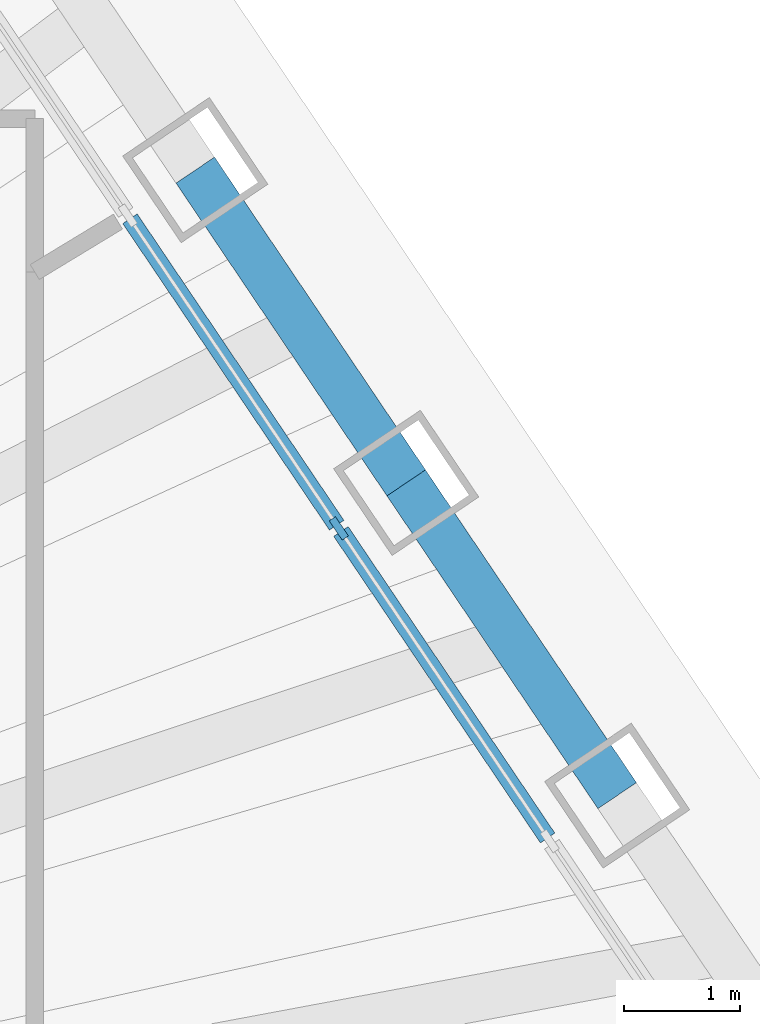
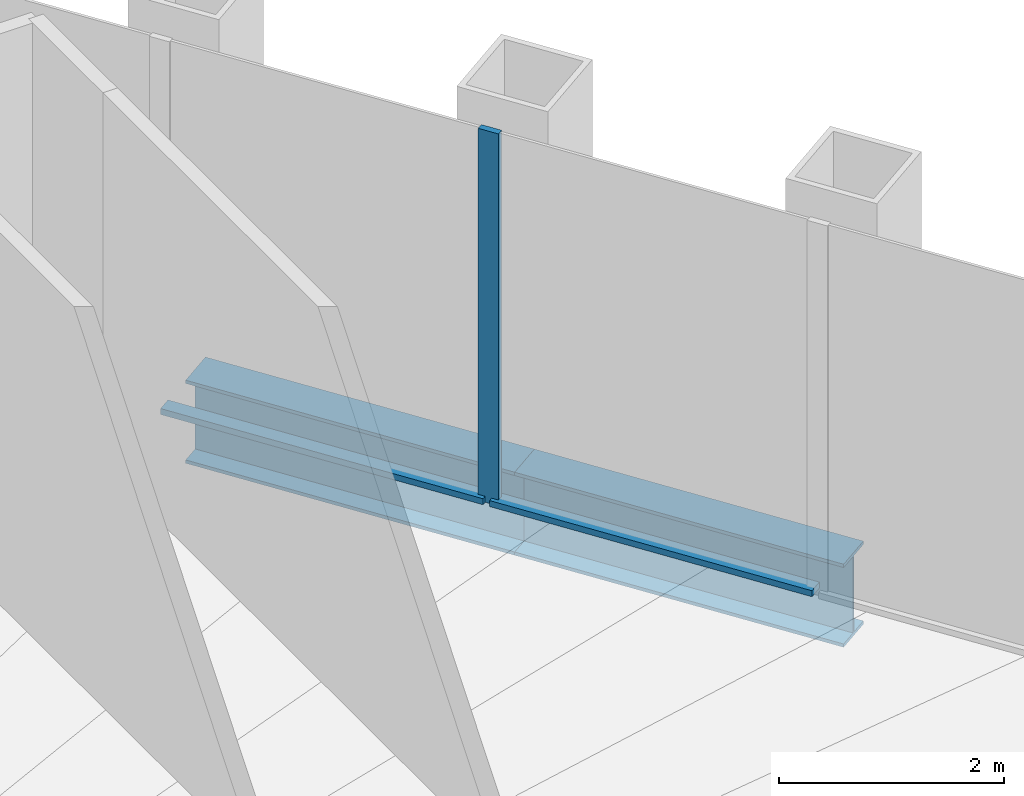
# One storey, part 6 of 14: 3 members, 2 beams, 1 element without a shape of its own.
"""IFC4 building model written with IfcOpenShell, lengths in metres."""

from ifc_helpers import new_model, si_unit, direction, frame, origin, origin_2d, place, context, subcontext, project, spatial, rectangle, i_section, extrude, material, material_profile, profile_set, type_object, element, aggregate, save


model = new_model("IFC4")

# Units and contexts
model_context = context("Model", 3, precision=1e-05, world=origin(), true_north=direction((0.0, 1.0)))
body_context = subcontext(model_context, "Body", "Model", "MODEL_VIEW")
ifc_project = project(units=[si_unit("LENGTHUNIT", "METRE"), si_unit("AREAUNIT", "SQUARE_METRE"), si_unit("VOLUMEUNIT", "CUBIC_METRE"), si_unit("PLANEANGLEUNIT", "RADIAN"), si_unit("MASSUNIT", "GRAM", prefix="KILO")], contexts=[model_context])

# Site, building, storey
site_placement = place(None, origin())
site = spatial("IfcSite", under=ifc_project, at=site_placement, CompositionType="ELEMENT")
building_placement = place(site_placement, origin())
building = spatial("IfcBuilding", under=site, at=building_placement, Name="Qingtian Harvest Tower", CompositionType="ELEMENT")
storey_placement = place(building_placement, frame((0.0, 0.0, 299.800048828125)))
storey = spatial("IfcBuildingStorey", under=building, at=storey_placement, Name="L66", CompositionType="ELEMENT", Elevation=299.800048828125)

# Curtain wall, member
ifc_material_1 = material(Name="Bronze-anodised aluminium curtain wall", Category="aluminium")
curtain_wall_type = type_object("IfcCurtainWallType", Name="Curtain wall CW5 upper office", PredefinedType="USERDEFINED", material=ifc_material_1)
curtain_wall_placement = place(storey_placement, origin())
curtain_wall = element("IfcCurtainWall", 1, at=curtain_wall_placement, inside=storey, type_object=curtain_wall_type, Name="Curtain wall CW5 L66 NE0-5", ObjectType="RECESSED CURTAIN WALL", PredefinedType="USERDEFINED")
ifc_material_2 = material(Name="Bronze-anodised aluminium mullion", Category="aluminium")
ifc_material_profile_1 = material_profile(ifc_material_2, rectangle(XDim=0.06494140625, YDim=0.199951171875, at=origin_2d()), Name="AL 65x200")
ifc_profile_set_1 = profile_set([ifc_material_profile_1], Name="Bronze-anodised aluminium mullion")
member_type_1 = type_object("IfcMemberType", Name="Mullion CWM 65x200", PredefinedType="MULLION", material=ifc_profile_set_1)
member_1_placement = place(storey_placement, frame((19.192626953125, 7.847900390625, 0.0), z_axis=(0.0, 0.0, 1.0), x_axis=(0.829037572555, 0.559192903471, 0.0)))
member_1 = element("IfcMember", 2, at=member_1_placement, type_object=member_type_1, Name="CW5 mullion 5", PredefinedType="MULLION", context=body_context, shape_type="SweptSolid", body=[
    extrude(rectangle(XDim=0.06494140625, YDim=0.199951171875, at=origin_2d()), origin(), (0.0, 0.0, 1.0), 4.030029296875),
])

# Beams
ifc_material_3 = material(Name="Steel SN490B", Category="steel")
ifc_material_profile_2 = material_profile(ifc_material_3, i_section(OverallWidth=0.39990234375, OverallDepth=0.89990234375, WebThickness=0.01904296875, FlangeThickness=0.035888671875, at=origin_2d()), Name="H900x400x19x36")
ifc_profile_set_2 = profile_set([ifc_material_profile_2], Name="Steel SN490B")
beam_type = type_object("IfcBeamType", Name="Spandrel beam SB4 H900x400x19x36", PredefinedType="SPANDREL", material=ifc_profile_set_2)
for number, where, z_axis, x_axis, name in (
    (3, (17.956787109375, 10.93212890625, -0.449951171875), (0.55915007887, -0.829066456504, 0.0), (0.829066456504, 0.55915007887, 0.0), "Spandrel SB4 NE3"),
    (4, (19.77294921875, 8.2392578125, -0.449951171875), (0.5592365864, -0.829008106372, 0.0), (0.829008106372, 0.5592365864, 0.0), "Spandrel SB4 NE4"),
):
    element("IfcBeam", number, at=place(storey_placement, frame(where, z_axis=z_axis, x_axis=x_axis)), inside=storey, type_object=beam_type, Name=name, PredefinedType="SPANDREL", context=body_context, shape_type="SweptSolid", body=[
        extrude(i_section(OverallWidth=0.39990234375, OverallDepth=0.89990234375, WebThickness=0.01904296875, FlangeThickness=0.035888671875, at=origin_2d()), origin(), (0.0, 0.0, 1.0), 3.248046875),
    ])

# Member
ifc_material_4 = material(Name="Bronze-anodised aluminium transom", Category="aluminium")
ifc_material_profile_3 = material_profile(ifc_material_4, rectangle(XDim=0.14990234375, YDim=0.06494140625, at=origin_2d()), Name="AL 65x150")
ifc_profile_set_3 = profile_set([ifc_material_profile_3], Name="Bronze-anodised aluminium transom")
member_type_2 = type_object("IfcMemberType", Name="Transom CWT 65x150", PredefinedType="USERDEFINED", material=ifc_profile_set_3)
member_2_placement = place(storey_placement, frame((17.39453125, 10.513671875, 0.032470703125), z_axis=(0.55920542009, -0.829029129852, 0.0), x_axis=(0.829029129852, 0.55920542009, 0.0)))
member_2 = element("IfcMember", 5, at=member_2_placement, type_object=member_type_2, Name="CW5 transom 4.1", ObjectType="TRANSOM", PredefinedType="USERDEFINED", context=body_context, shape_type="SweptSolid", body=[
    extrude(rectangle(XDim=0.14990234375, YDim=0.06494140625, at=origin_2d()), origin(), (0.0, 0.0, 1.0), 3.18310546875),
])

member_3_placement = place(storey_placement, frame((19.2109375, 7.821044921875, 0.032470703125), z_axis=(0.559152702955, -0.829064686727, 0.0), x_axis=(0.829064686727, 0.559152702955, 0.0)))
member_3 = element("IfcMember", 6, at=member_3_placement, type_object=member_type_2, Name="CW5 transom 5.1", ObjectType="TRANSOM", PredefinedType="USERDEFINED", context=body_context, shape_type="SweptSolid", body=[
    extrude(rectangle(XDim=0.14990234375, YDim=0.06494140625, at=origin_2d()), origin(), (0.0, 0.0, 1.0), 3.18310546875),
])

aggregate(curtain_wall, [member_1, member_2, member_3])

save(model, "model.ifc")
